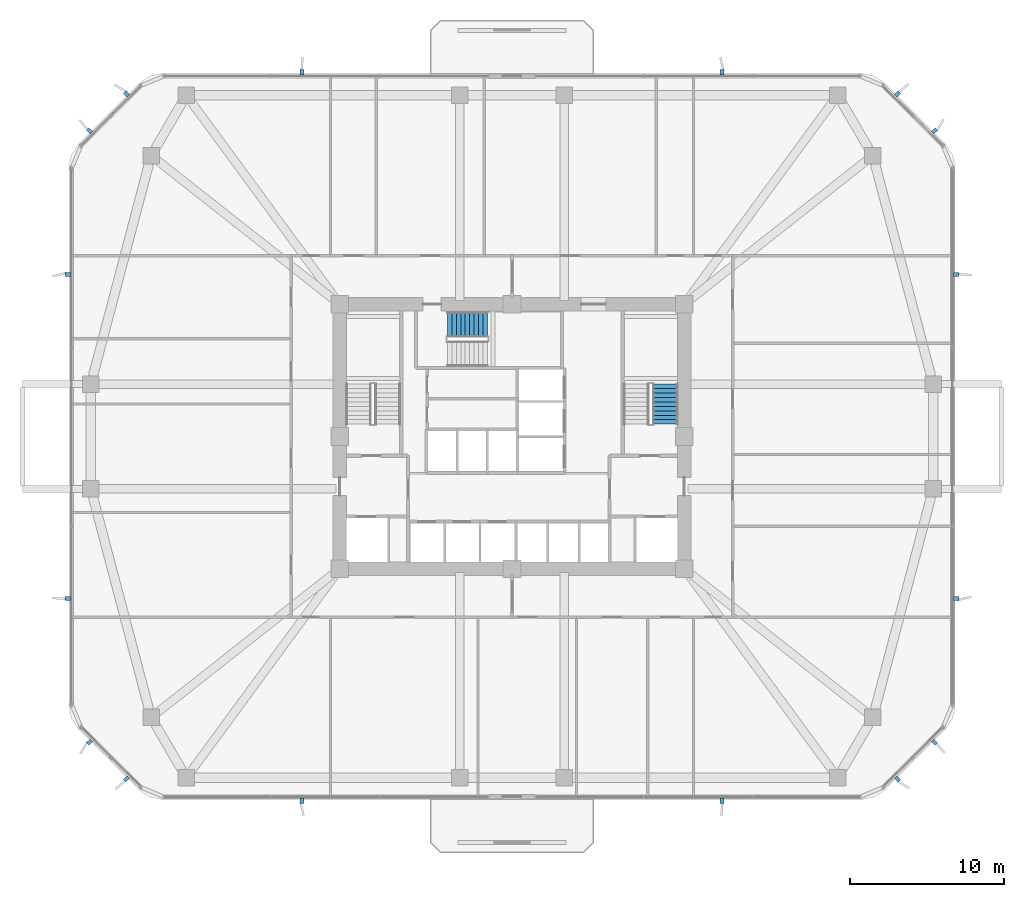
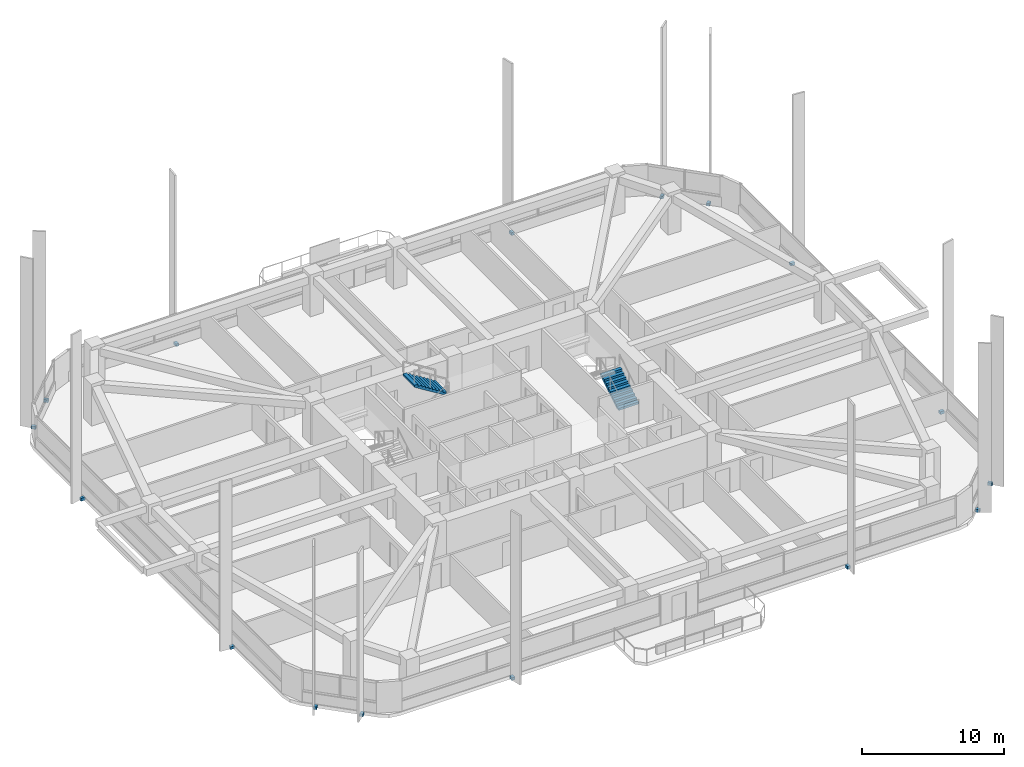
# One storey, part 12 of 17: 16 discrete accessories, 2 stair flights, 2 elements without a shape of their own.
"""IFC4 building model written with IfcOpenShell, lengths in metres."""

from ifc_helpers import new_model, si_unit, derived_unit, direction, frame, origin, origin_2d, place, context, subcontext, project, spatial, polyline, rectangle, outline, extrude, material, type_object, element, aggregate, save


model = new_model("IFC4")

# Units and contexts
model_context = context("Model", 3, precision=1e-05, world=origin(), true_north=direction((0.0, 1.0)))
body_context = subcontext(model_context, "Body", "Model", "MODEL_VIEW")
ifc_project = project(units=[si_unit("LENGTHUNIT", "METRE"), si_unit("AREAUNIT", "SQUARE_METRE"), si_unit("VOLUMEUNIT", "CUBIC_METRE"), si_unit("PLANEANGLEUNIT", "RADIAN"), si_unit("MASSUNIT", "GRAM", prefix="KILO"), derived_unit("THERMALTRANSMITTANCEUNIT", [(si_unit("POWERUNIT", "WATT"), 1), (si_unit("LENGTHUNIT", "METRE"), -2), (si_unit("THERMODYNAMICTEMPERATUREUNIT", "KELVIN"), -1)])], contexts=[model_context])

# Site, building, storey
site_placement = place(None, origin())
site = spatial("IfcSite", under=ifc_project, at=site_placement, CompositionType="ELEMENT")
building_placement = place(site_placement, origin())
building = spatial("IfcBuilding", under=site, at=building_placement, Name="Koralith Skygarden Medical Center", CompositionType="ELEMENT")
storey_placement = place(building_placement, frame((0.0, 0.0, 38.340087890625)))
storey = spatial("IfcBuildingStorey", under=building, at=storey_placement, Name="L09", CompositionType="ELEMENT", Elevation=38.340087890625)

# Stair, stair flight
ifc_material_1 = material(Name="Concrete C45/55", Category="concrete")
stair_type = type_object("IfcStairType", Name="Core Exit Dogleg Concrete Stair", PredefinedType="HALF_TURN_STAIR", material=ifc_material_1)
stair_1_placement = place(storey_placement, origin())
stair_1 = element("IfcStair", 1, at=stair_1_placement, inside=storey, type_object=stair_type, Name="L09 Smokeproof Exit Stair ST2", PredefinedType="HALF_TURN_STAIR")
stair_flight_type = type_object("IfcStairFlightType", Name="Core Exit Concrete Stair Flight 1650", PredefinedType="STRAIGHT", material=ifc_material_1)
stair_flight_1_placement = place(storey_placement, frame((46.97509765625, 26.699951171875, 0.0), z_axis=(0.0, 0.0, 1.0), x_axis=(0.0, 1.0, 0.0)))
stair_flight_1 = element("IfcStairFlight", 2, at=stair_flight_1_placement, type_object=stair_flight_type, Name="ST2 flight 1", NumberOfRisers=10, NumberOfTreads=9, PredefinedType="STRAIGHT", RiserHeight=0.18, TreadLength=0.29, context=body_context, shape_type="SweptSolid", body=[
    extrude(outline(polyline([(0.0, 0.0), (0.0, 0.179931640625), (0.2900390625, 0.179931640625), (0.2900390625, 0.360107421875), (0.580078125, 0.360107421875), (0.580078125, 0.5400390625), (0.8701171875, 0.5400390625), (0.8701171875, 0.719970703125), (1.159912109375, 0.719970703125), (1.159912109375, 0.89990234375), (1.449951171875, 0.89990234375), (1.449951171875, 1.080078125), (1.739990234375, 1.080078125), (1.739990234375, 1.260009765625), (2.030029296875, 1.260009765625), (2.030029296875, 1.43994140625), (2.320068359375, 1.43994140625), (2.320068359375, 1.6201171875), (2.610107421875, 1.6201171875), (2.610107421875, 1.800048828125), (2.610107421875, 1.443603515625), (0.2841796875, 0.0), (0.0, 0.0)])), frame((0.0, 0.824951171875, 0.0), z_axis=(0.0, -1.0, 0.0), x_axis=(1.0, 0.0, 0.0)), (0.0, 0.0, 1.0), 1.64990234375),
])
aggregate(stair_1, [stair_flight_1])

stair_2_placement = place(storey_placement, origin())
stair_2 = element("IfcStair", 3, at=stair_2_placement, inside=storey, type_object=stair_type, Name="L09 Smokeproof Exit Stair ST3", PredefinedType="HALF_TURN_STAIR")
stair_flight_2_placement = place(storey_placement, frame((35.409912109375, 33.175048828125, 1.7998046875), z_axis=(0.0, 0.0, 1.0), x_axis=(-1.0, 0.0, 0.0)))
stair_flight_2 = element("IfcStairFlight", 4, at=stair_flight_2_placement, type_object=stair_flight_type, Name="ST3 flight 2", NumberOfRisers=10, NumberOfTreads=9, PredefinedType="STRAIGHT", RiserHeight=0.18, TreadLength=0.29, context=body_context, shape_type="SweptSolid", body=[
    extrude(outline(polyline([(0.0, 0.0), (0.0, 0.179931640625), (0.2900390625, 0.179931640625), (0.2900390625, 0.360107421875), (0.580078125, 0.360107421875), (0.580078125, 0.5400390625), (0.8701171875, 0.5400390625), (0.8701171875, 0.719970703125), (1.159912109375, 0.719970703125), (1.159912109375, 0.89990234375), (1.449951171875, 0.89990234375), (1.449951171875, 1.080078125), (1.739990234375, 1.080078125), (1.739990234375, 1.260009765625), (2.030029296875, 1.260009765625), (2.030029296875, 1.43994140625), (2.320068359375, 1.43994140625), (2.320068359375, 1.6201171875), (2.610107421875, 1.6201171875), (2.610107421875, 1.800048828125), (2.610107421875, 1.443603515625), (0.2841796875, 0.0), (0.0, 0.0)])), frame((0.0, 0.824951171875, 0.0), z_axis=(0.0, -1.0, 0.0), x_axis=(1.0, 0.0, 0.0)), (0.0, 0.0, 1.0), 1.64990234375),
])
aggregate(stair_2, [stair_flight_2])

# Discrete accessories
ifc_material_2 = material(Name="Steel ASTM A572 Grade 50", Category="steel")
discrete_accessory_type = type_object("IfcDiscreteAccessoryType", Name="Facade Fin Structural Anchor Bracket", PredefinedType="BRACKET", material=ifc_material_2)
for number, where, z_axis, x_axis, name in (
    (5, (23.35009765625, 2.219970703125, -0.26025390625), (0.0, 0.0, 1.0), (0.0, -1.0, 0.0), "L09 S Solar Fin Anchor Bracket 1"),
    (6, (50.64990234375, 2.219970703125, -0.26025390625), (0.0, 0.0, 1.0), (0.0, -1.0, 0.0), "L09 S Solar Fin Anchor Bracket 2"),
    (7, (62.05810546875, 3.64404296875, -0.26025390625), (0.0, 0.0, 1.0), (0.707106781187, -0.707106781187, 0.0), "L09 SE Solar Fin Anchor Bracket 1"),
    (8, (64.4560546875, 6.0419921875, -0.26025390625), (0.0, 0.0, 1.0), (0.707106781187, -0.707106781187, 0.0), "L09 SE Solar Fin Anchor Bracket 2"),
    (9, (65.8798828125, 15.3701171875, -0.26025390625), (0.0, 0.0, 1.0), (1.0, 0.0, 0.0), "L09 E Solar Fin Anchor Bracket 1"),
    (10, (65.8798828125, 36.429931640625, -0.26025390625), (0.0, 0.0, 1.0), (1.0, 0.0, 0.0), "L09 E Solar Fin Anchor Bracket 2"),
    (11, (64.4560546875, 45.758056640625, -0.26025390625), (0.0, 0.0, 1.0), (0.707106781187, 0.707106781187, 0.0), "L09 NE Solar Fin Anchor Bracket 1"),
    (12, (62.05810546875, 48.156005859375, -0.26025390625), (0.0, 0.0, 1.0), (0.707106781187, 0.707106781187, 0.0), "L09 NE Solar Fin Anchor Bracket 2"),
    (13, (50.64990234375, 49.580078125, -0.26025390625), (0.0, 0.0, 1.0), (0.0, 1.0, 0.0), "L09 N Solar Fin Anchor Bracket 1"),
    (14, (23.35009765625, 49.580078125, -0.26025390625), (0.0, 0.0, 1.0), (0.0, 1.0, 0.0), "L09 N Solar Fin Anchor Bracket 2"),
    (15, (11.94189453125, 48.156005859375, -0.26025390625), (0.0, 0.0, 1.0), (-0.707106781187, 0.707106781187, 0.0), "L09 NW Solar Fin Anchor Bracket 1"),
    (16, (9.5439453125, 45.758056640625, -0.26025390625), (0.0, 0.0, 1.0), (-0.707106781187, 0.707106781187, 0.0), "L09 NW Solar Fin Anchor Bracket 2"),
    (17, (8.1201171875, 36.429931640625, -0.26025390625), (0.0, 0.0, 1.0), (-1.0, 0.0, 0.0), "L09 W Solar Fin Anchor Bracket 1"),
    (18, (8.1201171875, 15.3701171875, -0.26025390625), (0.0, 0.0, 1.0), (-1.0, 0.0, 0.0), "L09 W Solar Fin Anchor Bracket 2"),
    (19, (9.5439453125, 6.0419921875, -0.26025390625), (0.0, 0.0, 1.0), (-0.707106781187, -0.707106781187, 0.0), "L09 SW Solar Fin Anchor Bracket 1"),
    (20, (11.94189453125, 3.64404296875, -0.26025390625), (0.0, 0.0, 1.0), (-0.707106781187, -0.707106781187, 0.0), "L09 SW Solar Fin Anchor Bracket 2"),
):
    element("IfcDiscreteAccessory", number, at=place(storey_placement, frame(where, z_axis=z_axis, x_axis=x_axis)), inside=storey, type_object=discrete_accessory_type, Name=name, PredefinedType="BRACKET", context=body_context, shape_type="SweptSolid", body=[
        extrude(rectangle(XDim=0.340087890625, YDim=0.239990234375, at=origin_2d()), origin(), (0.0, 0.0, 1.0), 0.239990234375),
    ])

save(model, "model.ifc")
